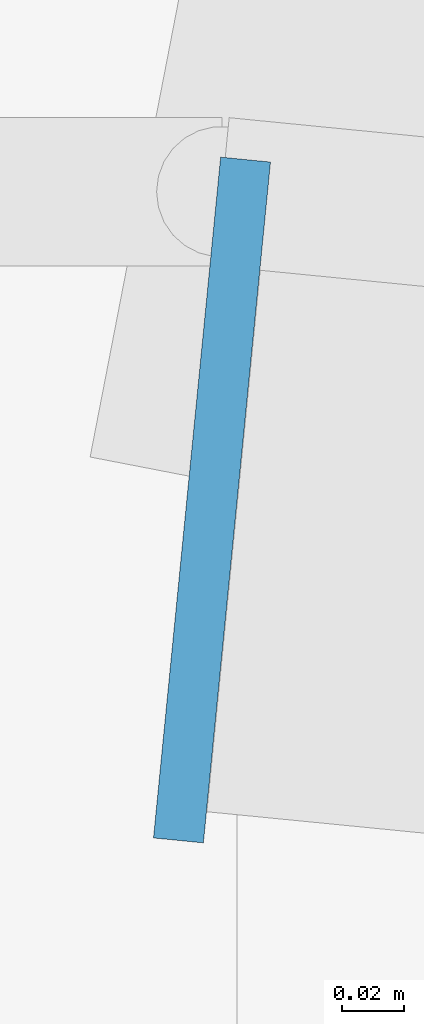
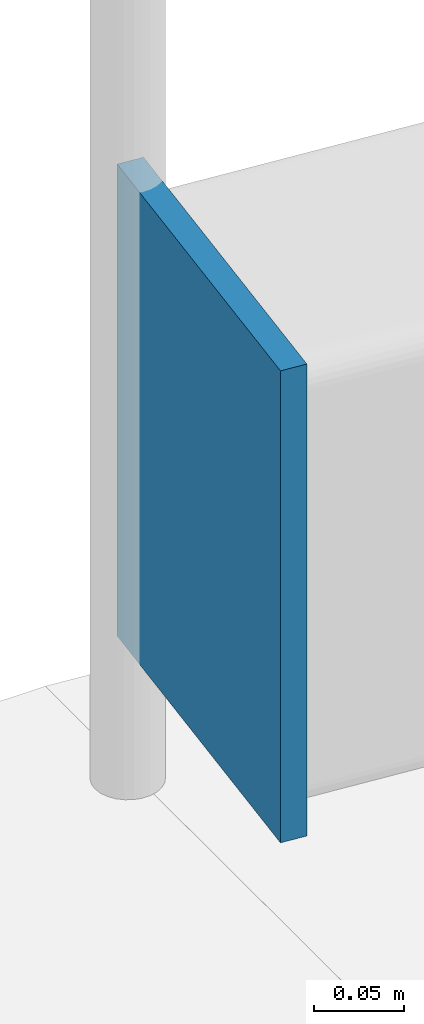
# One storey, part 43 of 58: 1 plate.
"""IFC4 building model written with IfcOpenShell, lengths in metres."""

from ifc_helpers import new_model, si_unit, direction, frame, origin, origin_2d, place, context, subcontext, project, spatial, rectangle, extrude, material, layer, layer_set, type_object, element, save


model = new_model("IFC4")

# Units and contexts
model_context = context("Model", 3, precision=1e-05, world=origin(), true_north=direction((0.0, 1.0)))
body_context = subcontext(model_context, "Body", "Model", "MODEL_VIEW")
ifc_project = project(units=[si_unit("LENGTHUNIT", "METRE"), si_unit("AREAUNIT", "SQUARE_METRE"), si_unit("VOLUMEUNIT", "CUBIC_METRE"), si_unit("PLANEANGLEUNIT", "RADIAN"), si_unit("MASSUNIT", "GRAM", prefix="KILO")], contexts=[model_context])

# Site, building, storey
site_placement = place(None, origin())
site = spatial("IfcSite", under=ifc_project, at=site_placement, CompositionType="ELEMENT")
building_placement = place(site_placement, origin())
building = spatial("IfcBuilding", under=site, at=building_placement, Name="Yeouljin Market Hall", CompositionType="ELEMENT")
storey_placement = place(building_placement, frame((0.0, 0.0, 10.800048828125)))
storey = spatial("IfcBuildingStorey", under=building, at=storey_placement, Name="L02", CompositionType="ELEMENT", Elevation=10.800048828125)

# Plate
ifc_material = material(Name="Steel SM355", Category="steel")
ifc_layer = layer(ifc_material, 0.01611328125)
ifc_layer_set = layer_set([ifc_layer], Name="Steel SM355")
plate_type = type_object("IfcPlateType", Name="CapPlate_320x220x16", PredefinedType="SHEET", material=ifc_layer_set)
plate_placement = place(storey_placement, frame((140.991943359375, 77.80078125, 0.08984375), z_axis=(0.0, 0.0, 1.0), x_axis=(-0.098103986207, -0.995176169274, 0.0)))
element("IfcPlate", 1, at=plate_placement, inside=storey, type_object=plate_type, Name="Apse eaves ring end-cap plate east 16", PredefinedType="SHEET", context=body_context, shape_type="SweptSolid", body=[
    extrude(rectangle(XDim=0.219970703125, YDim=0.01611328125, at=origin_2d()), origin(), (0.0, 0.0, 1.0), 0.320068359375),
])

save(model, "model.ifc")
